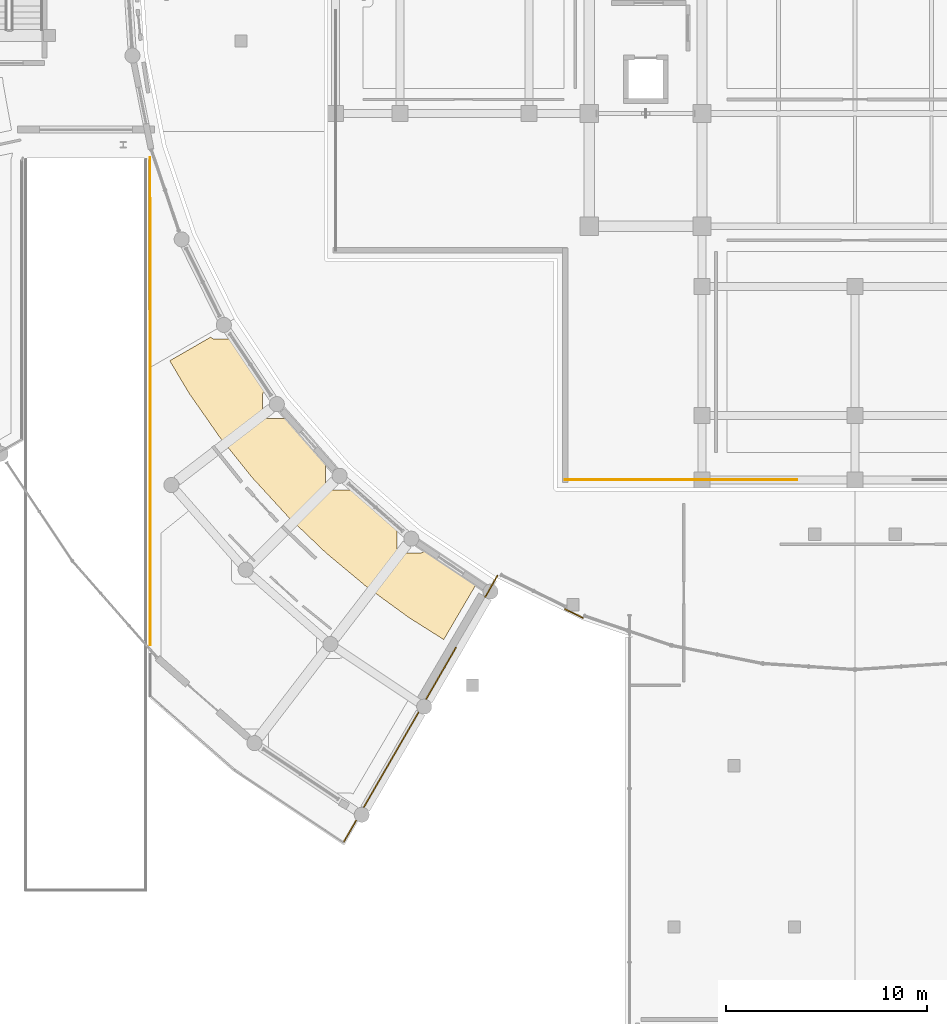
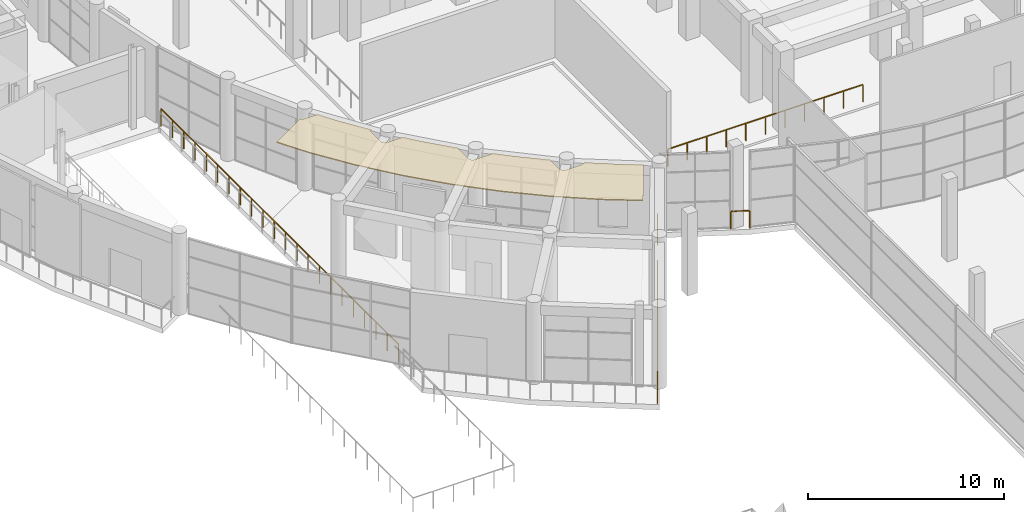
# One storey, part 81 of 99: 5 railings, 1 covering.
"""IFC4 building model written with IfcOpenShell, lengths in metres."""

from ifc_helpers import new_model, si_unit, direction, frame, origin, origin_2d, place, context, subcontext, project, spatial, polyline, rectangle, outline, extrude, material, layer, layer_set, type_object, element, save


model = new_model("IFC4")

# Units and contexts
model_context = context("Model", 3, precision=1e-05, world=origin(), true_north=direction((0.0, 1.0)))
body_context = subcontext(model_context, "Body", "Model", "MODEL_VIEW")
ifc_project = project(units=[si_unit("LENGTHUNIT", "METRE"), si_unit("AREAUNIT", "SQUARE_METRE"), si_unit("VOLUMEUNIT", "CUBIC_METRE"), si_unit("PLANEANGLEUNIT", "RADIAN"), si_unit("MASSUNIT", "GRAM", prefix="KILO")], contexts=[model_context])

# Site, building, storey
site_placement = place(None, origin())
site = spatial("IfcSite", under=ifc_project, at=site_placement, CompositionType="ELEMENT")
building_placement = place(site_placement, origin())
building = spatial("IfcBuilding", under=site, at=building_placement, Name="Saryqyr Civic Hall", CompositionType="ELEMENT")
storey_placement = place(building_placement, origin())
storey = spatial("IfcBuildingStorey", under=building, at=storey_placement, Name="L00", CompositionType="ELEMENT", Elevation=0.0)

# Covering
ifc_material_1 = material(Name="Mineral-fibre acoustic ceiling tile", Category="acoustic_tile")
ifc_layer_1 = layer(ifc_material_1, 0.06005859375, Name="Mineral-fibre acoustic ceiling tile")
ifc_layer_set_1 = layer_set([ifc_layer_1], Name="Mineral-fibre acoustic ceiling tile")
covering_type = type_object("IfcCoveringType", Name="INT-COV-CEIL-60", PredefinedType="CEILING", material=ifc_layer_set_1)
covering_placement = place(storey_placement, frame((0.0, 0.0, 4.760009765625)))
element("IfcCovering", 1, at=covering_placement, inside=storey, type_object=covering_type, Name="Acoustic ceiling Document Intake & Biometric Booths", PredefinedType="CEILING", context=body_context, shape_type="SweptSolid", body=[
    extrude(outline(polyline([(27.70458984375, 62.636474609375), (27.686767578125, 62.625732421875), (27.6669921875, 62.611083984375), (27.648681640625, 62.594482421875), (27.63232421875, 62.576416015625), (27.61767578125, 62.556640625), (27.60498046875, 62.53564453125), (27.594482421875, 62.513427734375), (27.58642578125, 62.490478515625), (27.580322265625, 62.466552734375), (27.576904296875, 62.4423828125), (27.57568359375, 62.417724609375), (27.57568359375, 61.5078125), (27.576904296875, 61.4833984375), (27.580322265625, 61.458984375), (27.58642578125, 61.435302734375), (27.594482421875, 61.412109375), (27.60498046875, 61.389892578125), (27.61767578125, 61.368896484375), (27.63232421875, 61.34912109375), (27.648681640625, 61.3310546875), (27.6669921875, 61.314453125), (27.686767578125, 61.2998046875), (27.707763671875, 61.287353515625), (27.72998046875, 61.27685546875), (27.7529296875, 61.2685546875), (27.77685546875, 61.2626953125), (27.801025390625, 61.259033203125), (27.82568359375, 61.2578125), (28.735595703125, 61.2578125), (28.760009765625, 61.259033203125), (28.768798828125, 61.26025390625), (29.465087890625, 60.392333984375), (29.489013671875, 60.36474609375), (30.74169921875, 58.9990234375), (30.73974609375, 58.99658203125), (30.727294921875, 58.9755859375), (30.716796875, 58.953369140625), (30.70849609375, 58.930419921875), (30.702392578125, 58.906494140625), (30.698974609375, 58.882080078125), (30.69775390625, 58.857666015625), (30.69775390625, 57.94775390625), (30.698974609375, 57.923095703125), (30.702392578125, 57.89892578125), (30.70849609375, 57.875), (30.716796875, 57.85205078125), (30.727294921875, 57.829833984375), (30.73974609375, 57.808837890625), (30.75439453125, 57.7890625), (30.77099609375, 57.77099609375), (30.7890625, 57.75439453125), (30.808837890625, 57.73974609375), (30.829833984375, 57.727294921875), (30.85205078125, 57.716796875), (30.875, 57.70849609375), (30.89892578125, 57.702392578125), (30.923095703125, 57.698974609375), (30.94775390625, 57.69775390625), (31.857666015625, 57.69775390625), (31.882080078125, 57.698974609375), (31.906494140625, 57.702392578125), (31.930419921875, 57.70849609375), (31.953369140625, 57.716796875), (31.9755859375, 57.727294921875), (31.99658203125, 57.73974609375), (32.004150390625, 57.745361328125), (32.822265625, 56.96435546875), (32.849365234375, 56.940185546875), (34.25927734375, 55.761962890625), (34.259033203125, 55.760009765625), (34.2578125, 55.735595703125), (34.2578125, 54.82568359375), (34.259033203125, 54.801025390625), (34.2626953125, 54.77685546875), (34.2685546875, 54.7529296875), (34.27685546875, 54.72998046875), (34.287353515625, 54.707763671875), (34.2998046875, 54.686767578125), (34.314453125, 54.6669921875), (34.3310546875, 54.648681640625), (34.34912109375, 54.63232421875), (34.368896484375, 54.61767578125), (34.389892578125, 54.60498046875), (34.412109375, 54.594482421875), (34.435302734375, 54.58642578125), (34.458984375, 54.580322265625), (34.4833984375, 54.576904296875), (34.5078125, 54.57568359375), (35.417724609375, 54.57568359375), (35.4423828125, 54.576904296875), (35.466552734375, 54.580322265625), (35.490478515625, 54.58642578125), (35.513427734375, 54.594482421875), (35.53564453125, 54.60498046875), (35.556640625, 54.61767578125), (35.576416015625, 54.63232421875), (35.594482421875, 54.648681640625), (35.611083984375, 54.6669921875), (35.625732421875, 54.686767578125), (35.63818359375, 54.707763671875), (35.639892578125, 54.711181640625), (36.602294921875, 54.009521484375), (36.63232421875, 53.989013671875), (38.180908203125, 53.010498046875), (36.572021484375, 50.268310546875), (34.830322265625, 51.368896484375), (32.720703125, 52.90673828125), (30.717041015625, 54.580810546875), (28.828857421875, 56.383544921875), (27.06396484375, 58.307373046875), (25.43017578125, 60.34375), (23.935546875, 62.482177734375), (22.961181640625, 64.11669921875), (24.997314453125, 65.292236328125), (25.001708984375, 65.286376953125), (25.01806640625, 65.268310546875), (25.036376953125, 65.251708984375), (25.055908203125, 65.237060546875), (25.0771484375, 65.224609375), (25.09912109375, 65.214111328125), (25.122314453125, 65.205810546875), (25.14599609375, 65.19970703125), (25.17041015625, 65.1962890625), (25.19482421875, 65.195068359375), (26.008544921875, 65.195068359375), (26.590087890625, 64.233154296875), (26.60986328125, 64.20263671875), (27.70458984375, 62.636474609375)])), origin(), (0.0, 0.0, 1.0), 0.06005859375),
])

# Railings
ifc_material_2 = material(Name="Warm brushed brass and laminated glass", Category="glass")
ifc_layer_2 = layer(ifc_material_2, 0.06005859375, Name="Warm brushed brass and laminated glass")
ifc_layer_set_2 = layer_set([ifc_layer_2], Name="Warm brushed brass and laminated glass")
railing_type = type_object("IfcRailingType", Name="INT-RLG-BAL-1100", PredefinedType="BALUSTRADE", material=ifc_layer_set_2)
railing_1_placement = place(storey_placement, frame((42.60009765625, 58.199951171875, 0.0)))
element("IfcRailing", 2, at=railing_1_placement, inside=storey, type_object=railing_type, Name="Perimeter safety balustrade V1-JNTGA-L00-11-G01", PredefinedType="BALUSTRADE", context=body_context, shape_type="SweptSolid", body=[
    extrude(rectangle(XDim=0.048095703125, YDim=0.048095703125, at=origin_2d()), frame((0.0, 0.0, 1.076171875), z_axis=(1.0, 0.0, 0.0), x_axis=(0.0, 1.0, 0.0)), (0.0, 0.0, 1.0), 11.5),
    extrude(rectangle(XDim=0.0419921875, YDim=0.0419921875, at=origin_2d()), origin(), (0.0, 0.0, 1.0), 1.052001953125),
    extrude(rectangle(XDim=0.0419921875, YDim=0.0419921875, at=origin_2d()), frame((1.14990234375, 0.0, 0.0)), (0.0, 0.0, 1.0), 1.052001953125),
    extrude(rectangle(XDim=0.0419921875, YDim=0.0419921875, at=origin_2d()), frame((2.300048828125, 0.0, 0.0)), (0.0, 0.0, 1.0), 1.052001953125),
    extrude(rectangle(XDim=0.0419921875, YDim=0.0419921875, at=origin_2d()), frame((3.449951171875, 0.0, 0.0)), (0.0, 0.0, 1.0), 1.052001953125),
    extrude(rectangle(XDim=0.0419921875, YDim=0.0419921875, at=origin_2d()), frame((4.60009765625, 0.0, 0.0)), (0.0, 0.0, 1.0), 1.052001953125),
    extrude(rectangle(XDim=0.0419921875, YDim=0.0419921875, at=origin_2d()), frame((5.75, 0.0, 0.0)), (0.0, 0.0, 1.0), 1.052001953125),
    extrude(rectangle(XDim=0.0419921875, YDim=0.0419921875, at=origin_2d()), frame((6.89990234375, 0.0, 0.0)), (0.0, 0.0, 1.0), 1.052001953125),
    extrude(rectangle(XDim=0.0419921875, YDim=0.0419921875, at=origin_2d()), frame((8.050048828125, 0.0, 0.0)), (0.0, 0.0, 1.0), 1.052001953125),
    extrude(rectangle(XDim=0.0419921875, YDim=0.0419921875, at=origin_2d()), frame((9.199951171875, 0.0, 0.0)), (0.0, 0.0, 1.0), 1.052001953125),
    extrude(rectangle(XDim=0.0419921875, YDim=0.0419921875, at=origin_2d()), frame((10.35009765625, 0.0, 0.0)), (0.0, 0.0, 1.0), 1.052001953125),
    extrude(rectangle(XDim=0.0419921875, YDim=0.0419921875, at=origin_2d()), frame((11.5, 0.0, 0.0)), (0.0, 0.0, 1.0), 1.052001953125),
])
railing_2_placement = place(storey_placement, frame((43.47607421875, 51.350341796875, 0.0)))
element("IfcRailing", 3, at=railing_2_placement, inside=storey, type_object=railing_type, Name="Interior deck safety balustrade L00-045", PredefinedType="BALUSTRADE", context=body_context, shape_type="SweptSolid", body=[
    extrude(rectangle(XDim=0.048095703125, YDim=0.048095703125, at=origin_2d()), frame((0.0, 0.0, 1.09619140625), z_axis=(-0.896883194665, 0.442267492733, 0.0), x_axis=(-0.442267492733, -0.896883194665, 0.0)), (0.0, 0.0, 1.0), 0.96875),
    extrude(rectangle(XDim=0.0419921875, YDim=0.0419921875, at=origin_2d()), origin(), (0.0, 0.0, 1.0), 1.072021484375),
    extrude(rectangle(XDim=0.0419921875, YDim=0.0419921875, at=origin_2d()), frame((-0.868896484375, 0.428466796875, 0.0)), (0.0, 0.0, 1.0), 1.072021484375),
])
railing_3_placement = place(storey_placement, frame((39.240234375, 53.439208984375, 0.0)))
element("IfcRailing", 4, at=railing_3_placement, inside=storey, type_object=railing_type, Name="Interior deck safety balustrade L00-046", PredefinedType="BALUSTRADE", context=body_context, shape_type="SweptSolid", body=[
    extrude(rectangle(XDim=0.048095703125, YDim=0.048095703125, at=origin_2d()), frame((0.0, 0.0, 1.09619140625), z_axis=(-0.500020834101, -0.866013374876, 0.0), x_axis=(0.866013374876, -0.500020834101, 0.0)), (0.0, 0.0, 1.0), 1.2041015625),
    extrude(rectangle(XDim=0.0419921875, YDim=0.0419921875, at=origin_2d()), origin(), (0.0, 0.0, 1.0), 1.072021484375),
    extrude(rectangle(XDim=0.0419921875, YDim=0.0419921875, at=origin_2d()), frame((-0.301025390625, -0.521484375, 0.0)), (0.0, 0.0, 1.0), 1.072021484375),
    extrude(rectangle(XDim=0.0419921875, YDim=0.0419921875, at=origin_2d()), frame((-0.60205078125, -1.042724609375, 0.0)), (0.0, 0.0, 1.0), 1.072021484375),
])
railing_4_placement = place(storey_placement, frame((37.177490234375, 49.866455078125, 0.0)))
element("IfcRailing", 5, at=railing_4_placement, inside=storey, type_object=railing_type, Name="Interior deck safety balustrade L00-047", PredefinedType="BALUSTRADE", context=body_context, shape_type="SweptSolid", body=[
    extrude(rectangle(XDim=0.048095703125, YDim=0.048095703125, at=origin_2d()), frame((0.0, 0.0, 1.09619140625), z_axis=(-0.499996124187, -0.866027641474, 0.0), x_axis=(0.866027641474, -0.499996124187, 0.0)), (0.0, 0.0, 1.0), 11.17138671875),
    extrude(rectangle(XDim=0.0419921875, YDim=0.0419921875, at=origin_2d()), origin(), (0.0, 0.0, 1.0), 1.072021484375),
    extrude(rectangle(XDim=0.0419921875, YDim=0.0419921875, at=origin_2d()), frame((-0.55859375, -0.967529296875, 0.0)), (0.0, 0.0, 1.0), 1.072021484375),
    extrude(rectangle(XDim=0.0419921875, YDim=0.0419921875, at=origin_2d()), frame((-1.1171875, -1.93505859375, 0.0)), (0.0, 0.0, 1.0), 1.072021484375),
    extrude(rectangle(XDim=0.0419921875, YDim=0.0419921875, at=origin_2d()), frame((-1.67578125, -2.90234375, 0.0)), (0.0, 0.0, 1.0), 1.072021484375),
    extrude(rectangle(XDim=0.0419921875, YDim=0.0419921875, at=origin_2d()), frame((-2.234375, -3.869873046875, 0.0)), (0.0, 0.0, 1.0), 1.072021484375),
    extrude(rectangle(XDim=0.0419921875, YDim=0.0419921875, at=origin_2d()), frame((-2.79296875, -4.83740234375, 0.0)), (0.0, 0.0, 1.0), 1.072021484375),
    extrude(rectangle(XDim=0.0419921875, YDim=0.0419921875, at=origin_2d()), frame((-3.351318359375, -5.804931640625, 0.0)), (0.0, 0.0, 1.0), 1.072021484375),
    extrude(rectangle(XDim=0.0419921875, YDim=0.0419921875, at=origin_2d()), frame((-3.909912109375, -6.7724609375, 0.0)), (0.0, 0.0, 1.0), 1.072021484375),
    extrude(rectangle(XDim=0.0419921875, YDim=0.0419921875, at=origin_2d()), frame((-4.468505859375, -7.73974609375, 0.0)), (0.0, 0.0, 1.0), 1.072021484375),
    extrude(rectangle(XDim=0.0419921875, YDim=0.0419921875, at=origin_2d()), frame((-5.027099609375, -8.707275390625, 0.0)), (0.0, 0.0, 1.0), 1.072021484375),
    extrude(rectangle(XDim=0.0419921875, YDim=0.0419921875, at=origin_2d()), frame((-5.585693359375, -9.6748046875, 0.0)), (0.0, 0.0, 1.0), 1.072021484375),
])
railing_5_placement = place(storey_placement, frame((21.998291015625, 49.997802734375, 0.0)))
element("IfcRailing", 6, at=railing_5_placement, inside=storey, type_object=railing_type, Name="Interior deck safety balustrade L00-051", PredefinedType="BALUSTRADE", context=body_context, shape_type="SweptSolid", body=[
    extrude(rectangle(XDim=0.048095703125, YDim=0.048095703125, at=origin_2d()), frame((0.0, 0.0, 1.09619140625), z_axis=(-0.000715884388, 0.999999743755, 0.0), x_axis=(-0.999999743755, -0.000715884388, 0.0)), (0.0, 0.0, 1.0), 24.21337890625),
    extrude(rectangle(XDim=0.0419921875, YDim=0.0419921875, at=origin_2d()), origin(), (0.0, 0.0, 1.0), 1.072021484375),
    extrude(rectangle(XDim=0.0419921875, YDim=0.0419921875, at=origin_2d()), frame((-0.000732421875, 1.153076171875, 0.0)), (0.0, 0.0, 1.0), 1.072021484375),
    extrude(rectangle(XDim=0.0419921875, YDim=0.0419921875, at=origin_2d()), frame((-0.001708984375, 2.30615234375, 0.0)), (0.0, 0.0, 1.0), 1.072021484375),
    extrude(rectangle(XDim=0.0419921875, YDim=0.0419921875, at=origin_2d()), frame((-0.00244140625, 3.458984375, 0.0)), (0.0, 0.0, 1.0), 1.072021484375),
    extrude(rectangle(XDim=0.0419921875, YDim=0.0419921875, at=origin_2d()), frame((-0.00341796875, 4.612060546875, 0.0)), (0.0, 0.0, 1.0), 1.072021484375),
    extrude(rectangle(XDim=0.0419921875, YDim=0.0419921875, at=origin_2d()), frame((-0.004150390625, 5.76513671875, 0.0)), (0.0, 0.0, 1.0), 1.072021484375),
    extrude(rectangle(XDim=0.0419921875, YDim=0.0419921875, at=origin_2d()), frame((-0.0048828125, 6.918212890625, 0.0)), (0.0, 0.0, 1.0), 1.072021484375),
    extrude(rectangle(XDim=0.0419921875, YDim=0.0419921875, at=origin_2d()), frame((-0.005859375, 8.071044921875, 0.0)), (0.0, 0.0, 1.0), 1.072021484375),
    extrude(rectangle(XDim=0.0419921875, YDim=0.0419921875, at=origin_2d()), frame((-0.006591796875, 9.22412109375, 0.0)), (0.0, 0.0, 1.0), 1.072021484375),
    extrude(rectangle(XDim=0.0419921875, YDim=0.0419921875, at=origin_2d()), frame((-0.00732421875, 10.377197265625, 0.0)), (0.0, 0.0, 1.0), 1.072021484375),
    extrude(rectangle(XDim=0.0419921875, YDim=0.0419921875, at=origin_2d()), frame((-0.00830078125, 11.5302734375, 0.0)), (0.0, 0.0, 1.0), 1.072021484375),
    extrude(rectangle(XDim=0.0419921875, YDim=0.0419921875, at=origin_2d()), frame((-0.009033203125, 12.68310546875, 0.0)), (0.0, 0.0, 1.0), 1.072021484375),
    extrude(rectangle(XDim=0.0419921875, YDim=0.0419921875, at=origin_2d()), frame((-0.010009765625, 13.836181640625, 0.0)), (0.0, 0.0, 1.0), 1.072021484375),
    extrude(rectangle(XDim=0.0419921875, YDim=0.0419921875, at=origin_2d()), frame((-0.0107421875, 14.9892578125, 0.0)), (0.0, 0.0, 1.0), 1.072021484375),
    extrude(rectangle(XDim=0.0419921875, YDim=0.0419921875, at=origin_2d()), frame((-0.011474609375, 16.142333984375, 0.0)), (0.0, 0.0, 1.0), 1.072021484375),
    extrude(rectangle(XDim=0.0419921875, YDim=0.0419921875, at=origin_2d()), frame((-0.012451171875, 17.295166015625, 0.0)), (0.0, 0.0, 1.0), 1.072021484375),
    extrude(rectangle(XDim=0.0419921875, YDim=0.0419921875, at=origin_2d()), frame((-0.01318359375, 18.4482421875, 0.0)), (0.0, 0.0, 1.0), 1.072021484375),
    extrude(rectangle(XDim=0.0419921875, YDim=0.0419921875, at=origin_2d()), frame((-0.013916015625, 19.601318359375, 0.0)), (0.0, 0.0, 1.0), 1.072021484375),
    extrude(rectangle(XDim=0.0419921875, YDim=0.0419921875, at=origin_2d()), frame((-0.014892578125, 20.75439453125, 0.0)), (0.0, 0.0, 1.0), 1.072021484375),
    extrude(rectangle(XDim=0.0419921875, YDim=0.0419921875, at=origin_2d()), frame((-0.015625, 21.9072265625, 0.0)), (0.0, 0.0, 1.0), 1.072021484375),
    extrude(rectangle(XDim=0.0419921875, YDim=0.0419921875, at=origin_2d()), frame((-0.0166015625, 23.060302734375, 0.0)), (0.0, 0.0, 1.0), 1.072021484375),
    extrude(rectangle(XDim=0.0419921875, YDim=0.0419921875, at=origin_2d()), frame((-0.017333984375, 24.21337890625, 0.0)), (0.0, 0.0, 1.0), 1.072021484375),
])

save(model, "model.ifc")
